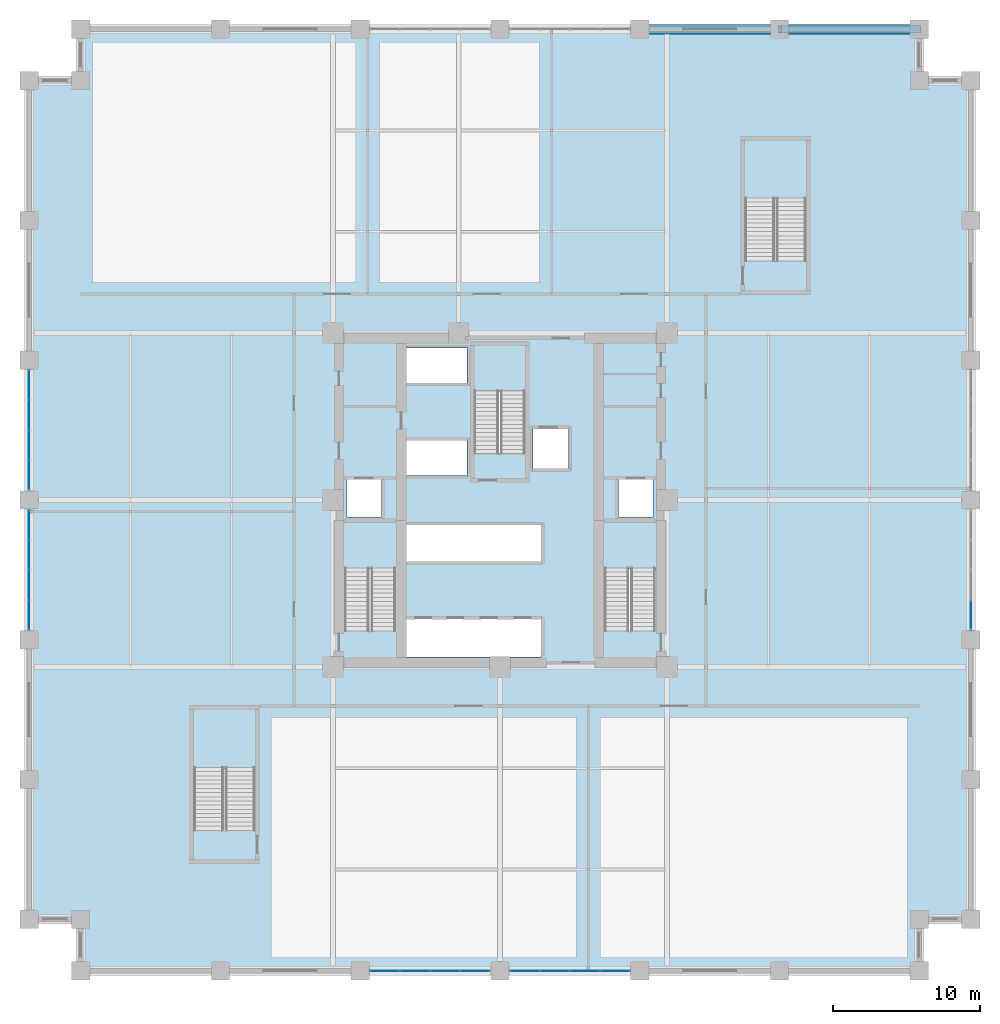
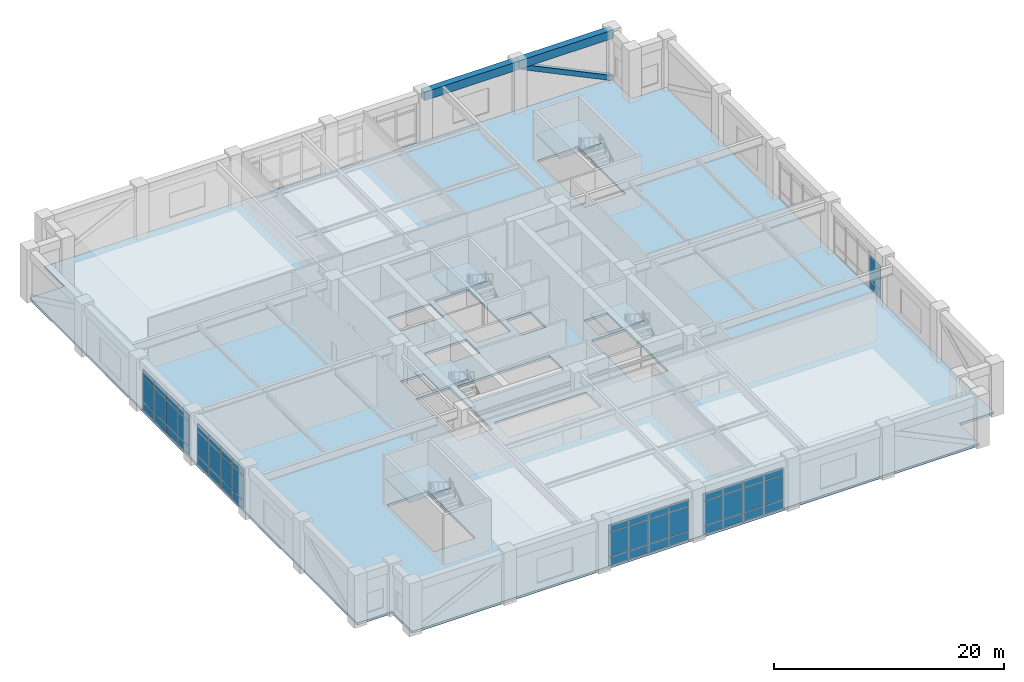
# One storey, part 10 of 21: 50 plates, 6 slabs, 2 beams, 1 member, 10 elements without a shape of their own.
"""IFC4 building model written with IfcOpenShell, lengths in metres."""

from ifc_helpers import new_model, si_unit, direction, frame, origin, origin_2d, place, context, subcontext, project, spatial, polyline, rectangle, hollow_rectangle, outline, extrude, material, layer, layer_set, material_profile, profile_set, type_object, element, aggregate, save


model = new_model("IFC4")

# Units and contexts
model_context = context("Model", 3, precision=1e-05, world=origin(), true_north=direction((0.0, 1.0)))
body_context = subcontext(model_context, "Body", "Model", "MODEL_VIEW")
ifc_project = project(units=[si_unit("LENGTHUNIT", "METRE"), si_unit("AREAUNIT", "SQUARE_METRE"), si_unit("VOLUMEUNIT", "CUBIC_METRE"), si_unit("PLANEANGLEUNIT", "RADIAN"), si_unit("MASSUNIT", "GRAM", prefix="KILO")], contexts=[model_context])

# Site, building, storey
site_placement = place(None, origin())
site = spatial("IfcSite", under=ifc_project, at=site_placement, CompositionType="ELEMENT")
building_placement = place(site_placement, origin())
building = spatial("IfcBuilding", under=site, at=building_placement, Name="Nhamokura Convention Tower", CompositionType="ELEMENT")
storey_placement = place(building_placement, frame((0.0, 0.0, 6.64990234375)))
storey = spatial("IfcBuildingStorey", under=building, at=storey_placement, Name="L01", CompositionType="ELEMENT", Elevation=6.64990234375)

# Member
ifc_material_1 = material(Name="Steel ASTM A572 Gr 50", Category="steel")
ifc_material_profile_1 = material_profile(ifc_material_1, hollow_rectangle(XDim=0.5, YDim=0.5, WallThickness=0.02490234375, at=origin_2d()))
ifc_profile_set_1 = profile_set([ifc_material_profile_1], Name="Steel ASTM A572 Gr 50")
member_type = type_object("IfcMemberType", Name="TubeBrace_HSS500", PredefinedType="BRACE", material=ifc_profile_set_1)
member_placement = place(storey_placement, frame((60.5, 64.0, 0.150146484375), z_axis=(-0.901520888263, 0.0, 0.432735586734), x_axis=(0.0, -1.0, 0.0)))
element("IfcMember", 1, at=member_placement, inside=storey, type_object=member_type, Name="L01 Perimeter Tube Brace NORTH Bay 5", PredefinedType="BRACE", context=body_context, shape_type="SweptSolid", body=[
    extrude(hollow_rectangle(XDim=0.5, YDim=0.5, WallThickness=0.02490234375, at=origin_2d()), origin(), (0.0, 0.0, 1.0), 10.537841796875),
])

# Beams
ifc_material_2 = material(Name="Concrete C60/75", Category="concrete")
ifc_material_profile_2 = material_profile(ifc_material_2, rectangle(XDim=0.64990234375, YDim=0.89990234375, at=origin_2d()))
ifc_profile_set_2 = profile_set([ifc_material_profile_2], Name="Concrete C60/75")
beam_type = type_object("IfcBeamType", Name="TubeSpandrel_900", PredefinedType="SPANDREL", material=ifc_profile_set_2)
for number, where, z_axis, x_axis, name in (
    (2, (41.5, 64.0, 4.91015625), (1.0, 0.0, 0.0), (0.0, 1.0, 0.0), "L01 Perimeter Spandrel NORTH 5"),
    (3, (51.0, 64.0, 4.91015625), (1.0, 0.0, 0.0), (0.0, 1.0, 0.0), "L01 Perimeter Spandrel NORTH 6"),
):
    element("IfcBeam", number, at=place(storey_placement, frame(where, z_axis=z_axis, x_axis=x_axis)), inside=storey, type_object=beam_type, Name=name, PredefinedType="SPANDREL", context=body_context, shape_type="SweptSolid", body=[
        extrude(rectangle(XDim=0.64990234375, YDim=0.89990234375, at=origin_2d()), origin(), (0.0, 0.0, 1.0), 9.5),
    ])

# Curtain wall, plates
ifc_material_3 = material(Name="Anodised bronze aluminium AA6063-T6", Category="aluminium")
ifc_layer_1 = layer(ifc_material_3, 0.179931640625)
ifc_layer_set_1 = layer_set([ifc_layer_1], Name="CWSystem_PodiumConcourse")
curtain_wall_type = type_object("IfcCurtainWallType", Name="CWSystem_PodiumConcourse", PredefinedType="NOTDEFINED", material=ifc_layer_set_1)
curtain_wall_1_placement = place(storey_placement, origin())
curtain_wall_1 = element("IfcCurtainWall", 4, at=curtain_wall_1_placement, inside=storey, type_object=curtain_wall_type, Name="L01 Curtain Wall ENV-L01-CW-S2", PredefinedType="NOTDEFINED")
ifc_material_4 = material(Name="Solar-control bronze low-E double glass", Category="glass")
ifc_layer_2 = layer(ifc_material_4, 0.031982421875)
ifc_layer_set_2 = layer_set([ifc_layer_2], Name="CWGlazedPanel_1")
plate_type = type_object("IfcPlateType", Name="CWGlazedPanel_1", PredefinedType="CURTAIN_PANEL", material=ifc_layer_set_2)
plate_1_placement = place(storey_placement, frame((30.305419921875, 0.0, 0.078125), z_axis=(0.0, 0.0, 1.0), x_axis=(-1.0, 0.0, 0.0)))
plate_1 = element("IfcPlate", 5, at=plate_1_placement, type_object=plate_type, Name="CW-01 panel 1.1", PredefinedType="CURTAIN_PANEL", context=body_context, shape_type="SweptSolid", body=[
    extrude(rectangle(XDim=1.93310546875, YDim=0.031982421875, at=origin_2d()), origin(), (0.0, 0.0, 1.0), 0.8330078125),
])
plate_2_placement = place(storey_placement, frame((30.305419921875, 0.0, 0.989013671875), z_axis=(0.0, 0.0, 1.0), x_axis=(-1.0, 0.0, 0.0)))
plate_2 = element("IfcPlate", 6, at=plate_2_placement, type_object=plate_type, Name="CW-01 panel 1.2", PredefinedType="CURTAIN_PANEL", context=body_context, shape_type="SweptSolid", body=[
    extrude(rectangle(XDim=1.93310546875, YDim=0.031982421875, at=origin_2d()), origin(), (0.0, 0.0, 1.0), 2.58203125),
])
plate_3_placement = place(storey_placement, frame((30.305419921875, 0.0, 3.649169921875), z_axis=(0.0, 0.0, 1.0), x_axis=(-1.0, 0.0, 0.0)))
plate_3 = element("IfcPlate", 7, at=plate_3_placement, type_object=plate_type, Name="CW-01 panel 1.3", PredefinedType="CURTAIN_PANEL", context=body_context, shape_type="SweptSolid", body=[
    extrude(rectangle(XDim=1.93310546875, YDim=0.031982421875, at=origin_2d()), origin(), (0.0, 0.0, 1.0), 0.73291015625),
])
plate_4_placement = place(storey_placement, frame((28.27490234375, 0.0, 0.078125), z_axis=(0.0, 0.0, 1.0), x_axis=(-1.0, 0.0, 0.0)))
plate_4 = element("IfcPlate", 8, at=plate_4_placement, type_object=plate_type, Name="CW-01 panel 2.1", PredefinedType="CURTAIN_PANEL", context=body_context, shape_type="SweptSolid", body=[
    extrude(rectangle(XDim=1.971923828125, YDim=0.031982421875, at=origin_2d()), origin(), (0.0, 0.0, 1.0), 0.8330078125),
])
plate_5_placement = place(storey_placement, frame((28.27490234375, 0.0, 0.989013671875), z_axis=(0.0, 0.0, 1.0), x_axis=(-1.0, 0.0, 0.0)))
plate_5 = element("IfcPlate", 9, at=plate_5_placement, type_object=plate_type, Name="CW-01 panel 2.2", PredefinedType="CURTAIN_PANEL", context=body_context, shape_type="SweptSolid", body=[
    extrude(rectangle(XDim=1.971923828125, YDim=0.031982421875, at=origin_2d()), origin(), (0.0, 0.0, 1.0), 2.58203125),
])
plate_6_placement = place(storey_placement, frame((28.27490234375, 0.0, 3.649169921875), z_axis=(0.0, 0.0, 1.0), x_axis=(-1.0, 0.0, 0.0)))
plate_6 = element("IfcPlate", 10, at=plate_6_placement, type_object=plate_type, Name="CW-01 panel 2.3", PredefinedType="CURTAIN_PANEL", context=body_context, shape_type="SweptSolid", body=[
    extrude(rectangle(XDim=1.971923828125, YDim=0.031982421875, at=origin_2d()), origin(), (0.0, 0.0, 1.0), 0.73291015625),
])
plate_7_placement = place(storey_placement, frame((26.22509765625, 0.0, 0.078125), z_axis=(0.0, 0.0, 1.0), x_axis=(-1.0, 0.0, 0.0)))
plate_7 = element("IfcPlate", 11, at=plate_7_placement, type_object=plate_type, Name="CW-01 panel 3.1", PredefinedType="CURTAIN_PANEL", context=body_context, shape_type="SweptSolid", body=[
    extrude(rectangle(XDim=1.971923828125, YDim=0.031982421875, at=origin_2d()), origin(), (0.0, 0.0, 1.0), 0.8330078125),
])
plate_8_placement = place(storey_placement, frame((26.22509765625, 0.0, 0.989013671875), z_axis=(0.0, 0.0, 1.0), x_axis=(-1.0, 0.0, 0.0)))
plate_8 = element("IfcPlate", 12, at=plate_8_placement, type_object=plate_type, Name="CW-01 panel 3.2", PredefinedType="CURTAIN_PANEL", context=body_context, shape_type="SweptSolid", body=[
    extrude(rectangle(XDim=1.971923828125, YDim=0.031982421875, at=origin_2d()), origin(), (0.0, 0.0, 1.0), 2.58203125),
])
plate_9_placement = place(storey_placement, frame((26.22509765625, 0.0, 3.649169921875), z_axis=(0.0, 0.0, 1.0), x_axis=(-1.0, 0.0, 0.0)))
plate_9 = element("IfcPlate", 13, at=plate_9_placement, type_object=plate_type, Name="CW-01 panel 3.3", PredefinedType="CURTAIN_PANEL", context=body_context, shape_type="SweptSolid", body=[
    extrude(rectangle(XDim=1.971923828125, YDim=0.031982421875, at=origin_2d()), origin(), (0.0, 0.0, 1.0), 0.73291015625),
])
plate_10_placement = place(storey_placement, frame((24.194580078125, 0.0, 0.078125), z_axis=(0.0, 0.0, 1.0), x_axis=(-1.0, 0.0, 0.0)))
plate_10 = element("IfcPlate", 14, at=plate_10_placement, type_object=plate_type, Name="CW-01 panel 4.1", PredefinedType="CURTAIN_PANEL", context=body_context, shape_type="SweptSolid", body=[
    extrude(rectangle(XDim=1.93310546875, YDim=0.031982421875, at=origin_2d()), origin(), (0.0, 0.0, 1.0), 0.8330078125),
])
plate_11_placement = place(storey_placement, frame((24.194580078125, 0.0, 0.989013671875), z_axis=(0.0, 0.0, 1.0), x_axis=(-1.0, 0.0, 0.0)))
plate_11 = element("IfcPlate", 15, at=plate_11_placement, type_object=plate_type, Name="CW-01 panel 4.2", PredefinedType="CURTAIN_PANEL", context=body_context, shape_type="SweptSolid", body=[
    extrude(rectangle(XDim=1.93310546875, YDim=0.031982421875, at=origin_2d()), origin(), (0.0, 0.0, 1.0), 2.58203125),
])
plate_12_placement = place(storey_placement, frame((24.194580078125, 0.0, 3.649169921875), z_axis=(0.0, 0.0, 1.0), x_axis=(-1.0, 0.0, 0.0)))
plate_12 = element("IfcPlate", 16, at=plate_12_placement, type_object=plate_type, Name="CW-01 panel 4.3", PredefinedType="CURTAIN_PANEL", context=body_context, shape_type="SweptSolid", body=[
    extrude(rectangle(XDim=1.93310546875, YDim=0.031982421875, at=origin_2d()), origin(), (0.0, 0.0, 1.0), 0.73291015625),
])
aggregate(curtain_wall_1, [plate_1, plate_2, plate_3, plate_4, plate_5, plate_6, plate_7, plate_8, plate_9, plate_10, plate_11, plate_12])

curtain_wall_2_placement = place(storey_placement, origin())
curtain_wall_2 = element("IfcCurtainWall", 17, at=curtain_wall_2_placement, inside=storey, type_object=curtain_wall_type, Name="L01 Curtain Wall ENV-L01-CW-S3", PredefinedType="NOTDEFINED")
plate_13_placement = place(storey_placement, frame((39.805419921875, 0.0, 0.078125), z_axis=(0.0, 0.0, 1.0), x_axis=(-1.0, 0.0, 0.0)))
plate_13 = element("IfcPlate", 18, at=plate_13_placement, type_object=plate_type, Name="CW-01 panel 1.1", PredefinedType="CURTAIN_PANEL", context=body_context, shape_type="SweptSolid", body=[
    extrude(rectangle(XDim=1.93310546875, YDim=0.031982421875, at=origin_2d()), origin(), (0.0, 0.0, 1.0), 0.8330078125),
])
plate_14_placement = place(storey_placement, frame((39.805419921875, 0.0, 0.989013671875), z_axis=(0.0, 0.0, 1.0), x_axis=(-1.0, 0.0, 0.0)))
plate_14 = element("IfcPlate", 19, at=plate_14_placement, type_object=plate_type, Name="CW-01 panel 1.2", PredefinedType="CURTAIN_PANEL", context=body_context, shape_type="SweptSolid", body=[
    extrude(rectangle(XDim=1.93310546875, YDim=0.031982421875, at=origin_2d()), origin(), (0.0, 0.0, 1.0), 2.58203125),
])
plate_15_placement = place(storey_placement, frame((39.805419921875, 0.0, 3.649169921875), z_axis=(0.0, 0.0, 1.0), x_axis=(-1.0, 0.0, 0.0)))
plate_15 = element("IfcPlate", 20, at=plate_15_placement, type_object=plate_type, Name="CW-01 panel 1.3", PredefinedType="CURTAIN_PANEL", context=body_context, shape_type="SweptSolid", body=[
    extrude(rectangle(XDim=1.93310546875, YDim=0.031982421875, at=origin_2d()), origin(), (0.0, 0.0, 1.0), 0.73291015625),
])
plate_16_placement = place(storey_placement, frame((37.77490234375, 0.0, 0.078125), z_axis=(0.0, 0.0, 1.0), x_axis=(-1.0, 0.0, 0.0)))
plate_16 = element("IfcPlate", 21, at=plate_16_placement, type_object=plate_type, Name="CW-01 panel 2.1", PredefinedType="CURTAIN_PANEL", context=body_context, shape_type="SweptSolid", body=[
    extrude(rectangle(XDim=1.971923828125, YDim=0.031982421875, at=origin_2d()), origin(), (0.0, 0.0, 1.0), 0.8330078125),
])
plate_17_placement = place(storey_placement, frame((37.77490234375, 0.0, 0.989013671875), z_axis=(0.0, 0.0, 1.0), x_axis=(-1.0, 0.0, 0.0)))
plate_17 = element("IfcPlate", 22, at=plate_17_placement, type_object=plate_type, Name="CW-01 panel 2.2", PredefinedType="CURTAIN_PANEL", context=body_context, shape_type="SweptSolid", body=[
    extrude(rectangle(XDim=1.971923828125, YDim=0.031982421875, at=origin_2d()), origin(), (0.0, 0.0, 1.0), 2.58203125),
])
plate_18_placement = place(storey_placement, frame((37.77490234375, 0.0, 3.649169921875), z_axis=(0.0, 0.0, 1.0), x_axis=(-1.0, 0.0, 0.0)))
plate_18 = element("IfcPlate", 23, at=plate_18_placement, type_object=plate_type, Name="CW-01 panel 2.3", PredefinedType="CURTAIN_PANEL", context=body_context, shape_type="SweptSolid", body=[
    extrude(rectangle(XDim=1.971923828125, YDim=0.031982421875, at=origin_2d()), origin(), (0.0, 0.0, 1.0), 0.73291015625),
])
plate_19_placement = place(storey_placement, frame((35.72509765625, 0.0, 0.078125), z_axis=(0.0, 0.0, 1.0), x_axis=(-1.0, 0.0, 0.0)))
plate_19 = element("IfcPlate", 24, at=plate_19_placement, type_object=plate_type, Name="CW-01 panel 3.1", PredefinedType="CURTAIN_PANEL", context=body_context, shape_type="SweptSolid", body=[
    extrude(rectangle(XDim=1.971923828125, YDim=0.031982421875, at=origin_2d()), origin(), (0.0, 0.0, 1.0), 0.8330078125),
])
plate_20_placement = place(storey_placement, frame((35.72509765625, 0.0, 0.989013671875), z_axis=(0.0, 0.0, 1.0), x_axis=(-1.0, 0.0, 0.0)))
plate_20 = element("IfcPlate", 25, at=plate_20_placement, type_object=plate_type, Name="CW-01 panel 3.2", PredefinedType="CURTAIN_PANEL", context=body_context, shape_type="SweptSolid", body=[
    extrude(rectangle(XDim=1.971923828125, YDim=0.031982421875, at=origin_2d()), origin(), (0.0, 0.0, 1.0), 2.58203125),
])
plate_21_placement = place(storey_placement, frame((35.72509765625, 0.0, 3.649169921875), z_axis=(0.0, 0.0, 1.0), x_axis=(-1.0, 0.0, 0.0)))
plate_21 = element("IfcPlate", 26, at=plate_21_placement, type_object=plate_type, Name="CW-01 panel 3.3", PredefinedType="CURTAIN_PANEL", context=body_context, shape_type="SweptSolid", body=[
    extrude(rectangle(XDim=1.971923828125, YDim=0.031982421875, at=origin_2d()), origin(), (0.0, 0.0, 1.0), 0.73291015625),
])
plate_22_placement = place(storey_placement, frame((33.694580078125, 0.0, 0.078125), z_axis=(0.0, 0.0, 1.0), x_axis=(-1.0, 0.0, 0.0)))
plate_22 = element("IfcPlate", 27, at=plate_22_placement, type_object=plate_type, Name="CW-01 panel 4.1", PredefinedType="CURTAIN_PANEL", context=body_context, shape_type="SweptSolid", body=[
    extrude(rectangle(XDim=1.93310546875, YDim=0.031982421875, at=origin_2d()), origin(), (0.0, 0.0, 1.0), 0.8330078125),
])
plate_23_placement = place(storey_placement, frame((33.694580078125, 0.0, 0.989013671875), z_axis=(0.0, 0.0, 1.0), x_axis=(-1.0, 0.0, 0.0)))
plate_23 = element("IfcPlate", 28, at=plate_23_placement, type_object=plate_type, Name="CW-01 panel 4.2", PredefinedType="CURTAIN_PANEL", context=body_context, shape_type="SweptSolid", body=[
    extrude(rectangle(XDim=1.93310546875, YDim=0.031982421875, at=origin_2d()), origin(), (0.0, 0.0, 1.0), 2.58203125),
])
plate_24_placement = place(storey_placement, frame((33.694580078125, 0.0, 3.649169921875), z_axis=(0.0, 0.0, 1.0), x_axis=(-1.0, 0.0, 0.0)))
plate_24 = element("IfcPlate", 29, at=plate_24_placement, type_object=plate_type, Name="CW-01 panel 4.3", PredefinedType="CURTAIN_PANEL", context=body_context, shape_type="SweptSolid", body=[
    extrude(rectangle(XDim=1.93310546875, YDim=0.031982421875, at=origin_2d()), origin(), (0.0, 0.0, 1.0), 0.73291015625),
])
aggregate(curtain_wall_2, [plate_13, plate_14, plate_15, plate_16, plate_17, plate_18, plate_19, plate_20, plate_21, plate_22, plate_23, plate_24])

curtain_wall_3_placement = place(storey_placement, origin())
curtain_wall_3 = element("IfcCurtainWall", 30, at=curtain_wall_3_placement, inside=storey, type_object=curtain_wall_type, Name="L01 Curtain Wall ENV-L01-CW-W2", PredefinedType="NOTDEFINED")
plate_25_placement = place(storey_placement, frame((0.0, 24.194580078125, 0.078125), z_axis=(0.0, 0.0, 1.0), x_axis=(0.0, 1.0, 0.0)))
plate_25 = element("IfcPlate", 31, at=plate_25_placement, type_object=plate_type, Name="CW-01 panel 1.1", PredefinedType="CURTAIN_PANEL", context=body_context, shape_type="SweptSolid", body=[
    extrude(rectangle(XDim=1.93310546875, YDim=0.031982421875, at=origin_2d()), origin(), (0.0, 0.0, 1.0), 0.8330078125),
])
plate_26_placement = place(storey_placement, frame((0.0, 24.194580078125, 0.989013671875), z_axis=(0.0, 0.0, 1.0), x_axis=(0.0, 1.0, 0.0)))
plate_26 = element("IfcPlate", 32, at=plate_26_placement, type_object=plate_type, Name="CW-01 panel 1.2", PredefinedType="CURTAIN_PANEL", context=body_context, shape_type="SweptSolid", body=[
    extrude(rectangle(XDim=1.93310546875, YDim=0.031982421875, at=origin_2d()), origin(), (0.0, 0.0, 1.0), 2.58203125),
])
plate_27_placement = place(storey_placement, frame((0.0, 24.194580078125, 3.649169921875), z_axis=(0.0, 0.0, 1.0), x_axis=(0.0, 1.0, 0.0)))
plate_27 = element("IfcPlate", 33, at=plate_27_placement, type_object=plate_type, Name="CW-01 panel 1.3", PredefinedType="CURTAIN_PANEL", context=body_context, shape_type="SweptSolid", body=[
    extrude(rectangle(XDim=1.93310546875, YDim=0.031982421875, at=origin_2d()), origin(), (0.0, 0.0, 1.0), 0.73291015625),
])
plate_28_placement = place(storey_placement, frame((0.0, 26.22509765625, 0.078125), z_axis=(0.0, 0.0, 1.0), x_axis=(0.0, 1.0, 0.0)))
plate_28 = element("IfcPlate", 34, at=plate_28_placement, type_object=plate_type, Name="CW-01 panel 2.1", PredefinedType="CURTAIN_PANEL", context=body_context, shape_type="SweptSolid", body=[
    extrude(rectangle(XDim=1.971923828125, YDim=0.031982421875, at=origin_2d()), origin(), (0.0, 0.0, 1.0), 0.8330078125),
])
plate_29_placement = place(storey_placement, frame((0.0, 26.22509765625, 0.989013671875), z_axis=(0.0, 0.0, 1.0), x_axis=(0.0, 1.0, 0.0)))
plate_29 = element("IfcPlate", 35, at=plate_29_placement, type_object=plate_type, Name="CW-01 panel 2.2", PredefinedType="CURTAIN_PANEL", context=body_context, shape_type="SweptSolid", body=[
    extrude(rectangle(XDim=1.971923828125, YDim=0.031982421875, at=origin_2d()), origin(), (0.0, 0.0, 1.0), 2.58203125),
])
plate_30_placement = place(storey_placement, frame((0.0, 26.22509765625, 3.649169921875), z_axis=(0.0, 0.0, 1.0), x_axis=(0.0, 1.0, 0.0)))
plate_30 = element("IfcPlate", 36, at=plate_30_placement, type_object=plate_type, Name="CW-01 panel 2.3", PredefinedType="CURTAIN_PANEL", context=body_context, shape_type="SweptSolid", body=[
    extrude(rectangle(XDim=1.971923828125, YDim=0.031982421875, at=origin_2d()), origin(), (0.0, 0.0, 1.0), 0.73291015625),
])
plate_31_placement = place(storey_placement, frame((0.0, 28.27490234375, 0.078125), z_axis=(0.0, 0.0, 1.0), x_axis=(0.0, 1.0, 0.0)))
plate_31 = element("IfcPlate", 37, at=plate_31_placement, type_object=plate_type, Name="CW-01 panel 3.1", PredefinedType="CURTAIN_PANEL", context=body_context, shape_type="SweptSolid", body=[
    extrude(rectangle(XDim=1.971923828125, YDim=0.031982421875, at=origin_2d()), origin(), (0.0, 0.0, 1.0), 0.8330078125),
])
plate_32_placement = place(storey_placement, frame((0.0, 28.27490234375, 0.989013671875), z_axis=(0.0, 0.0, 1.0), x_axis=(0.0, 1.0, 0.0)))
plate_32 = element("IfcPlate", 38, at=plate_32_placement, type_object=plate_type, Name="CW-01 panel 3.2", PredefinedType="CURTAIN_PANEL", context=body_context, shape_type="SweptSolid", body=[
    extrude(rectangle(XDim=1.971923828125, YDim=0.031982421875, at=origin_2d()), origin(), (0.0, 0.0, 1.0), 2.58203125),
])
plate_33_placement = place(storey_placement, frame((0.0, 28.27490234375, 3.649169921875), z_axis=(0.0, 0.0, 1.0), x_axis=(0.0, 1.0, 0.0)))
plate_33 = element("IfcPlate", 39, at=plate_33_placement, type_object=plate_type, Name="CW-01 panel 3.3", PredefinedType="CURTAIN_PANEL", context=body_context, shape_type="SweptSolid", body=[
    extrude(rectangle(XDim=1.971923828125, YDim=0.031982421875, at=origin_2d()), origin(), (0.0, 0.0, 1.0), 0.73291015625),
])
plate_34_placement = place(storey_placement, frame((0.0, 30.305419921875, 0.078125), z_axis=(0.0, 0.0, 1.0), x_axis=(0.0, 1.0, 0.0)))
plate_34 = element("IfcPlate", 40, at=plate_34_placement, type_object=plate_type, Name="CW-01 panel 4.1", PredefinedType="CURTAIN_PANEL", context=body_context, shape_type="SweptSolid", body=[
    extrude(rectangle(XDim=1.93310546875, YDim=0.031982421875, at=origin_2d()), origin(), (0.0, 0.0, 1.0), 0.8330078125),
])
plate_35_placement = place(storey_placement, frame((0.0, 30.305419921875, 0.989013671875), z_axis=(0.0, 0.0, 1.0), x_axis=(0.0, 1.0, 0.0)))
plate_35 = element("IfcPlate", 41, at=plate_35_placement, type_object=plate_type, Name="CW-01 panel 4.2", PredefinedType="CURTAIN_PANEL", context=body_context, shape_type="SweptSolid", body=[
    extrude(rectangle(XDim=1.93310546875, YDim=0.031982421875, at=origin_2d()), origin(), (0.0, 0.0, 1.0), 2.58203125),
])
plate_36_placement = place(storey_placement, frame((0.0, 30.305419921875, 3.649169921875), z_axis=(0.0, 0.0, 1.0), x_axis=(0.0, 1.0, 0.0)))
plate_36 = element("IfcPlate", 42, at=plate_36_placement, type_object=plate_type, Name="CW-01 panel 4.3", PredefinedType="CURTAIN_PANEL", context=body_context, shape_type="SweptSolid", body=[
    extrude(rectangle(XDim=1.93310546875, YDim=0.031982421875, at=origin_2d()), origin(), (0.0, 0.0, 1.0), 0.73291015625),
])
aggregate(curtain_wall_3, [plate_25, plate_26, plate_27, plate_28, plate_29, plate_30, plate_31, plate_32, plate_33, plate_34, plate_35, plate_36])

curtain_wall_4_placement = place(storey_placement, origin())
curtain_wall_4 = element("IfcCurtainWall", 43, at=curtain_wall_4_placement, inside=storey, type_object=curtain_wall_type, Name="L01 Curtain Wall ENV-L01-CW-W3", PredefinedType="NOTDEFINED")
plate_37_placement = place(storey_placement, frame((0.0, 33.694580078125, 0.078125), z_axis=(0.0, 0.0, 1.0), x_axis=(0.0, 1.0, 0.0)))
plate_37 = element("IfcPlate", 44, at=plate_37_placement, type_object=plate_type, Name="CW-01 panel 1.1", PredefinedType="CURTAIN_PANEL", context=body_context, shape_type="SweptSolid", body=[
    extrude(rectangle(XDim=1.93310546875, YDim=0.031982421875, at=origin_2d()), origin(), (0.0, 0.0, 1.0), 0.8330078125),
])
plate_38_placement = place(storey_placement, frame((0.0, 33.694580078125, 0.989013671875), z_axis=(0.0, 0.0, 1.0), x_axis=(0.0, 1.0, 0.0)))
plate_38 = element("IfcPlate", 45, at=plate_38_placement, type_object=plate_type, Name="CW-01 panel 1.2", PredefinedType="CURTAIN_PANEL", context=body_context, shape_type="SweptSolid", body=[
    extrude(rectangle(XDim=1.93310546875, YDim=0.031982421875, at=origin_2d()), origin(), (0.0, 0.0, 1.0), 2.58203125),
])
plate_39_placement = place(storey_placement, frame((0.0, 33.694580078125, 3.649169921875), z_axis=(0.0, 0.0, 1.0), x_axis=(0.0, 1.0, 0.0)))
plate_39 = element("IfcPlate", 46, at=plate_39_placement, type_object=plate_type, Name="CW-01 panel 1.3", PredefinedType="CURTAIN_PANEL", context=body_context, shape_type="SweptSolid", body=[
    extrude(rectangle(XDim=1.93310546875, YDim=0.031982421875, at=origin_2d()), origin(), (0.0, 0.0, 1.0), 0.73291015625),
])
plate_40_placement = place(storey_placement, frame((0.0, 35.72509765625, 0.078125), z_axis=(0.0, 0.0, 1.0), x_axis=(0.0, 1.0, 0.0)))
plate_40 = element("IfcPlate", 47, at=plate_40_placement, type_object=plate_type, Name="CW-01 panel 2.1", PredefinedType="CURTAIN_PANEL", context=body_context, shape_type="SweptSolid", body=[
    extrude(rectangle(XDim=1.971923828125, YDim=0.031982421875, at=origin_2d()), origin(), (0.0, 0.0, 1.0), 0.8330078125),
])
plate_41_placement = place(storey_placement, frame((0.0, 35.72509765625, 0.989013671875), z_axis=(0.0, 0.0, 1.0), x_axis=(0.0, 1.0, 0.0)))
plate_41 = element("IfcPlate", 48, at=plate_41_placement, type_object=plate_type, Name="CW-01 panel 2.2", PredefinedType="CURTAIN_PANEL", context=body_context, shape_type="SweptSolid", body=[
    extrude(rectangle(XDim=1.971923828125, YDim=0.031982421875, at=origin_2d()), origin(), (0.0, 0.0, 1.0), 2.58203125),
])
plate_42_placement = place(storey_placement, frame((0.0, 35.72509765625, 3.649169921875), z_axis=(0.0, 0.0, 1.0), x_axis=(0.0, 1.0, 0.0)))
plate_42 = element("IfcPlate", 49, at=plate_42_placement, type_object=plate_type, Name="CW-01 panel 2.3", PredefinedType="CURTAIN_PANEL", context=body_context, shape_type="SweptSolid", body=[
    extrude(rectangle(XDim=1.971923828125, YDim=0.031982421875, at=origin_2d()), origin(), (0.0, 0.0, 1.0), 0.73291015625),
])
plate_43_placement = place(storey_placement, frame((0.0, 37.77490234375, 0.078125), z_axis=(0.0, 0.0, 1.0), x_axis=(0.0, 1.0, 0.0)))
plate_43 = element("IfcPlate", 50, at=plate_43_placement, type_object=plate_type, Name="CW-01 panel 3.1", PredefinedType="CURTAIN_PANEL", context=body_context, shape_type="SweptSolid", body=[
    extrude(rectangle(XDim=1.971923828125, YDim=0.031982421875, at=origin_2d()), origin(), (0.0, 0.0, 1.0), 0.8330078125),
])
plate_44_placement = place(storey_placement, frame((0.0, 37.77490234375, 0.989013671875), z_axis=(0.0, 0.0, 1.0), x_axis=(0.0, 1.0, 0.0)))
plate_44 = element("IfcPlate", 51, at=plate_44_placement, type_object=plate_type, Name="CW-01 panel 3.2", PredefinedType="CURTAIN_PANEL", context=body_context, shape_type="SweptSolid", body=[
    extrude(rectangle(XDim=1.971923828125, YDim=0.031982421875, at=origin_2d()), origin(), (0.0, 0.0, 1.0), 2.58203125),
])
plate_45_placement = place(storey_placement, frame((0.0, 37.77490234375, 3.649169921875), z_axis=(0.0, 0.0, 1.0), x_axis=(0.0, 1.0, 0.0)))
plate_45 = element("IfcPlate", 52, at=plate_45_placement, type_object=plate_type, Name="CW-01 panel 3.3", PredefinedType="CURTAIN_PANEL", context=body_context, shape_type="SweptSolid", body=[
    extrude(rectangle(XDim=1.971923828125, YDim=0.031982421875, at=origin_2d()), origin(), (0.0, 0.0, 1.0), 0.73291015625),
])
plate_46_placement = place(storey_placement, frame((0.0, 39.805419921875, 0.078125), z_axis=(0.0, 0.0, 1.0), x_axis=(0.0, 1.0, 0.0)))
plate_46 = element("IfcPlate", 53, at=plate_46_placement, type_object=plate_type, Name="CW-01 panel 4.1", PredefinedType="CURTAIN_PANEL", context=body_context, shape_type="SweptSolid", body=[
    extrude(rectangle(XDim=1.93310546875, YDim=0.031982421875, at=origin_2d()), origin(), (0.0, 0.0, 1.0), 0.8330078125),
])
plate_47_placement = place(storey_placement, frame((0.0, 39.805419921875, 0.989013671875), z_axis=(0.0, 0.0, 1.0), x_axis=(0.0, 1.0, 0.0)))
plate_47 = element("IfcPlate", 54, at=plate_47_placement, type_object=plate_type, Name="CW-01 panel 4.2", PredefinedType="CURTAIN_PANEL", context=body_context, shape_type="SweptSolid", body=[
    extrude(rectangle(XDim=1.93310546875, YDim=0.031982421875, at=origin_2d()), origin(), (0.0, 0.0, 1.0), 2.58203125),
])
plate_48_placement = place(storey_placement, frame((0.0, 39.805419921875, 3.649169921875), z_axis=(0.0, 0.0, 1.0), x_axis=(0.0, 1.0, 0.0)))
plate_48 = element("IfcPlate", 55, at=plate_48_placement, type_object=plate_type, Name="CW-01 panel 4.3", PredefinedType="CURTAIN_PANEL", context=body_context, shape_type="SweptSolid", body=[
    extrude(rectangle(XDim=1.93310546875, YDim=0.031982421875, at=origin_2d()), origin(), (0.0, 0.0, 1.0), 0.73291015625),
])
aggregate(curtain_wall_4, [plate_37, plate_38, plate_39, plate_40, plate_41, plate_42, plate_43, plate_44, plate_45, plate_46, plate_47, plate_48])

curtain_wall_5_placement = place(storey_placement, origin())
curtain_wall_5 = element("IfcCurtainWall", 56, at=curtain_wall_5_placement, inside=storey, type_object=curtain_wall_type, Name="L01 Curtain Wall ENV-L01-CW-E2", PredefinedType="NOTDEFINED")
plate_49_placement = place(storey_placement, frame((64.0, 24.194580078125, 0.078125), z_axis=(0.0, 0.0, 1.0), x_axis=(0.0, -1.0, 0.0)))
plate_49 = element("IfcPlate", 57, at=plate_49_placement, type_object=plate_type, Name="CW-01 panel 4.1", PredefinedType="CURTAIN_PANEL", context=body_context, shape_type="SweptSolid", body=[
    extrude(rectangle(XDim=1.93310546875, YDim=0.031982421875, at=origin_2d()), origin(), (0.0, 0.0, 1.0), 0.8330078125),
])
plate_50_placement = place(storey_placement, frame((64.0, 24.194580078125, 0.989013671875), z_axis=(0.0, 0.0, 1.0), x_axis=(0.0, -1.0, 0.0)))
plate_50 = element("IfcPlate", 58, at=plate_50_placement, type_object=plate_type, Name="CW-01 panel 4.2", PredefinedType="CURTAIN_PANEL", context=body_context, shape_type="SweptSolid", body=[
    extrude(rectangle(XDim=1.93310546875, YDim=0.031982421875, at=origin_2d()), origin(), (0.0, 0.0, 1.0), 2.58203125),
])
aggregate(curtain_wall_5, [plate_49, plate_50])

# Slab
ifc_material_5 = material(Name="Concrete C40/50", Category="concrete")
ifc_layer_3 = layer(ifc_material_5, 0.239990234375)
ifc_layer_set_3 = layer_set([ifc_layer_3], Name="ConventionHallSlab_240")
slab_type_1 = type_object("IfcSlabType", Name="ConventionHallSlab_240", PredefinedType="FLOOR", material=ifc_layer_set_3)
slab_1_placement = place(storey_placement, frame((0.0, 0.0, -0.239990234375)))
element("IfcSlab", 59, at=slab_1_placement, inside=storey, type_object=slab_type_1, Name="L01 Structural Floor Slab", PredefinedType="FLOOR", context=body_context, shape_type="SweptSolid", body=[
    extrude(outline(polyline([(3.5, 0.0), (60.5, 0.0), (60.5, 3.5), (64.0, 3.5), (64.0, 60.5), (60.5, 60.5), (60.5, 64.0), (3.5, 64.0), (3.5, 60.5), (0.0, 60.5), (0.0, 3.5), (3.5, 3.5), (3.5, 0.0)]), holes=[polyline([(24.89990234375, 23.10009765625), (24.89990234375, 30.449951171875), (21.449951171875, 30.449951171875), (21.449951171875, 23.10009765625), (24.89990234375, 23.10009765625)]), polyline([(42.550048828125, 23.10009765625), (42.550048828125, 30.449951171875), (39.10009765625, 30.449951171875), (39.10009765625, 23.10009765625), (42.550048828125, 23.10009765625)]), polyline([(33.699951171875, 35.14990234375), (33.699951171875, 42.5), (30.25, 42.5), (30.25, 35.14990234375), (33.699951171875, 35.14990234375)]), polyline([(15.35009765625, 9.550048828125), (15.35009765625, 17.75), (11.199951171875, 17.75), (11.199951171875, 9.550048828125), (15.35009765625, 9.550048828125)]), polyline([(52.800048828125, 48.25), (52.800048828125, 56.449951171875), (48.64990234375, 56.449951171875), (48.64990234375, 48.25), (52.800048828125, 48.25)]), polyline([(21.60009765625, 30.85009765625), (23.949951171875, 30.85009765625), (23.949951171875, 33.39990234375), (21.60009765625, 33.39990234375), (21.60009765625, 30.85009765625)]), polyline([(40.050048828125, 30.85009765625), (42.39990234375, 30.85009765625), (42.39990234375, 33.39990234375), (40.050048828125, 33.39990234375), (40.050048828125, 30.85009765625)]), polyline([(34.25, 34.14990234375), (36.64990234375, 34.14990234375), (36.64990234375, 36.85009765625), (34.25, 36.85009765625), (34.25, 34.14990234375)]), polyline([(25.52001953125, 21.320068359375), (34.800048828125, 21.320068359375), (34.800048828125, 23.89990234375), (25.52001953125, 23.89990234375), (25.52001953125, 21.320068359375)]), polyline([(25.52001953125, 27.800048828125), (34.800048828125, 27.800048828125), (34.800048828125, 30.300048828125), (25.52001953125, 30.300048828125), (25.52001953125, 27.800048828125)]), polyline([(25.52001953125, 33.679931640625), (29.75, 33.679931640625), (29.75, 36.050048828125), (25.52001953125, 36.050048828125), (25.52001953125, 33.679931640625)]), polyline([(25.52001953125, 39.949951171875), (29.75, 39.949951171875), (29.75, 42.320068359375), (25.52001953125, 42.320068359375), (25.52001953125, 39.949951171875)])]), origin(), (0.0, 0.0, 1.0), 0.239990234375),
])

# Stair, slab
ifc_material_6 = material(Name="Concrete C40/50", Category="concrete")
stair_type_1 = type_object("IfcStairType", Name="TowerCoreStair_1650", PredefinedType="HALF_TURN_STAIR", material=ifc_material_6)
stair_1_placement = place(storey_placement, origin())
stair_1 = element("IfcStair", 60, at=stair_1_placement, inside=storey, type_object=stair_type_1, Name="L01 West Core Smokeproof Stair ST-01", PredefinedType="HALF_TURN_STAIR")
ifc_material_7 = material(Name="Concrete C40/50", Category="concrete")
ifc_layer_4 = layer(ifc_material_7, 0.199951171875)
ifc_layer_set_4 = layer_set([ifc_layer_4], Name="StairLandingSlab_200")
slab_type_2 = type_object("IfcSlabType", Name="StairLandingSlab_200", PredefinedType="LANDING", material=ifc_layer_set_4)
slab_2_placement = place(storey_placement, frame((0.0, 0.0, 2.60009765625)))
slab_2 = element("IfcSlab", 61, at=slab_2_placement, type_object=slab_type_2, Name="ST-01 landing 1", PredefinedType="LANDING", context=body_context, shape_type="SweptSolid", body=[
    extrude(outline(polyline([(24.97998046875, 27.294921875), (24.97998046875, 30.530029296875), (21.3701171875, 30.530029296875), (21.3701171875, 27.294921875), (24.97998046875, 27.294921875)])), origin(), (0.0, 0.0, 1.0), 0.199951171875),
])
aggregate(stair_1, [slab_2])

stair_2_placement = place(storey_placement, origin())
stair_2 = element("IfcStair", 62, at=stair_2_placement, inside=storey, type_object=stair_type_1, Name="L01 East Core Smokeproof Stair ST-02", PredefinedType="HALF_TURN_STAIR")
slab_3_placement = place(storey_placement, frame((0.0, 0.0, 2.60009765625)))
slab_3 = element("IfcSlab", 63, at=slab_3_placement, type_object=slab_type_2, Name="ST-02 landing 1", PredefinedType="LANDING", context=body_context, shape_type="SweptSolid", body=[
    extrude(outline(polyline([(42.6298828125, 27.294921875), (42.6298828125, 30.530029296875), (39.02001953125, 30.530029296875), (39.02001953125, 27.294921875), (42.6298828125, 27.294921875)])), origin(), (0.0, 0.0, 1.0), 0.199951171875),
])
aggregate(stair_2, [slab_3])

stair_3_placement = place(storey_placement, origin())
stair_3 = element("IfcStair", 64, at=stair_3_placement, inside=storey, type_object=stair_type_1, Name="L01 North Core Smokeproof Stair ST-03", PredefinedType="HALF_TURN_STAIR")
slab_4_placement = place(storey_placement, frame((0.0, 0.0, 2.60009765625)))
slab_4 = element("IfcSlab", 65, at=slab_4_placement, type_object=slab_type_2, Name="ST-03 landing 1", PredefinedType="LANDING", context=body_context, shape_type="SweptSolid", body=[
    extrude(outline(polyline([(33.780029296875, 39.344970703125), (33.780029296875, 42.580078125), (30.169921875, 42.580078125), (30.169921875, 39.344970703125), (33.780029296875, 39.344970703125)])), origin(), (0.0, 0.0, 1.0), 0.199951171875),
])
aggregate(stair_3, [slab_4])

ifc_material_8 = material(Name="Concrete C40/50", Category="concrete")
stair_type_2 = type_object("IfcStairType", Name="PodiumExitStair_2000", PredefinedType="HALF_TURN_STAIR", material=ifc_material_8)
stair_4_placement = place(storey_placement, origin())
stair_4 = element("IfcStair", 66, at=stair_4_placement, inside=storey, type_object=stair_type_2, Name="L01 South-West Podium Smokeproof Stair ST-04", PredefinedType="HALF_TURN_STAIR")
slab_5_placement = place(storey_placement, frame((0.0, 0.0, 2.60009765625)))
slab_5 = element("IfcSlab", 67, at=slab_5_placement, type_object=slab_type_2, Name="ST-04 landing 1", PredefinedType="LANDING", context=body_context, shape_type="SweptSolid", body=[
    extrude(outline(polyline([(15.429931640625, 13.7451171875), (15.429931640625, 17.830078125), (11.1201171875, 17.830078125), (11.1201171875, 13.7451171875), (15.429931640625, 13.7451171875)])), origin(), (0.0, 0.0, 1.0), 0.199951171875),
])
aggregate(stair_4, [slab_5])

stair_5_placement = place(storey_placement, origin())
stair_5 = element("IfcStair", 68, at=stair_5_placement, inside=storey, type_object=stair_type_2, Name="L01 North-East Podium Smokeproof Stair ST-05", PredefinedType="HALF_TURN_STAIR")
slab_6_placement = place(storey_placement, frame((0.0, 0.0, 2.60009765625)))
slab_6 = element("IfcSlab", 69, at=slab_6_placement, type_object=slab_type_2, Name="ST-05 landing 1", PredefinedType="LANDING", context=body_context, shape_type="SweptSolid", body=[
    extrude(outline(polyline([(52.8798828125, 52.445068359375), (52.8798828125, 56.530029296875), (48.570068359375, 56.530029296875), (48.570068359375, 52.445068359375), (52.8798828125, 52.445068359375)])), origin(), (0.0, 0.0, 1.0), 0.199951171875),
])
aggregate(stair_5, [slab_6])

save(model, "model.ifc")
